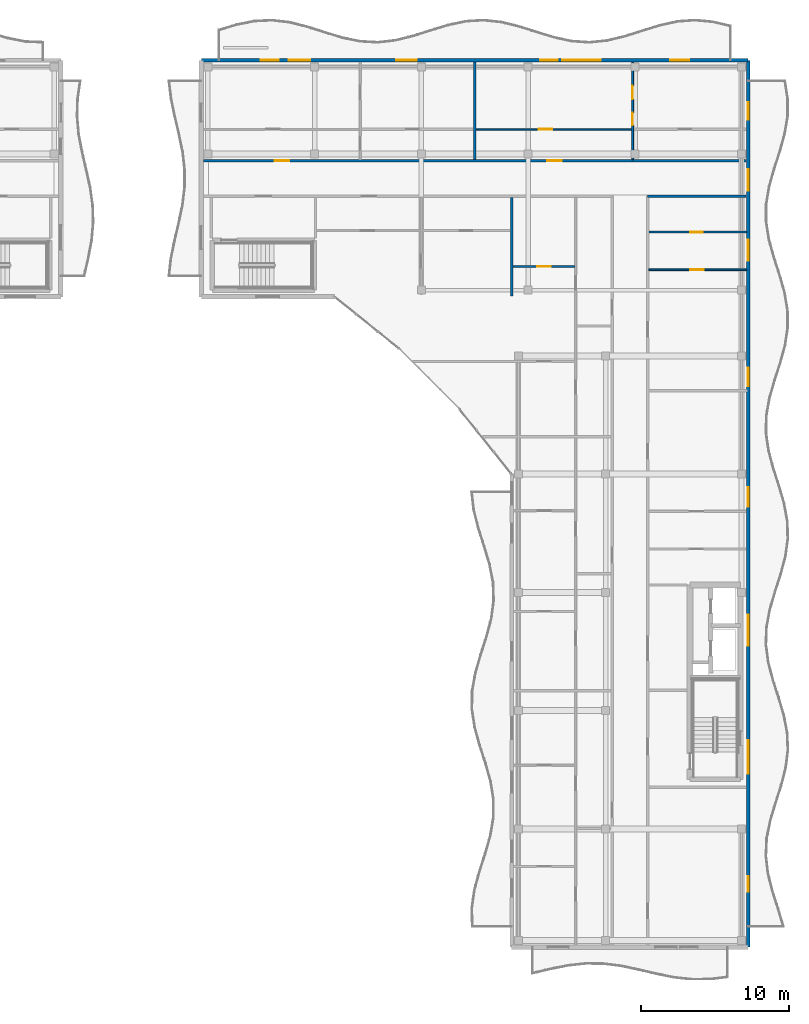
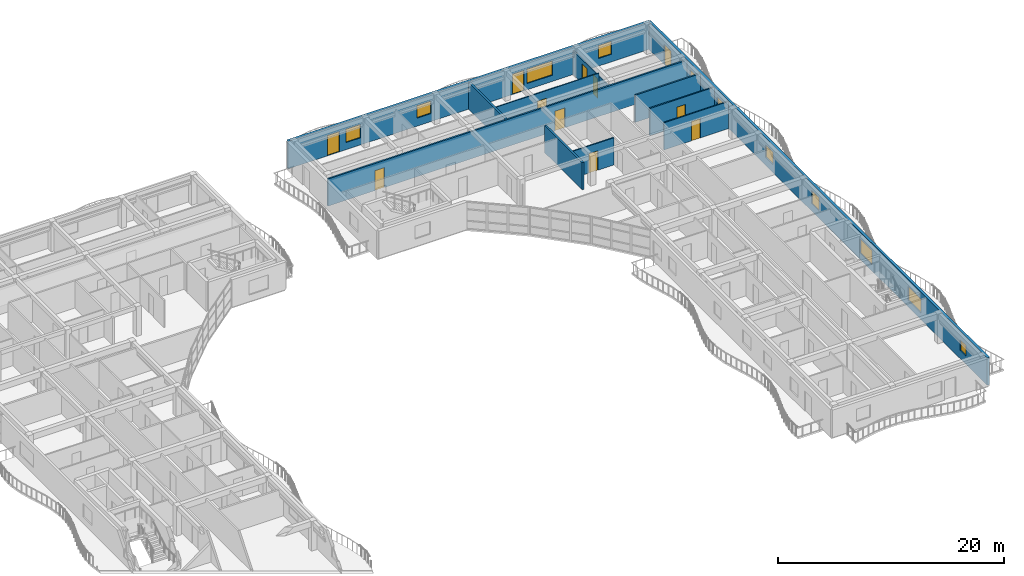
# One storey, part 44 of 68: 11 doors, 11 walls, 11 windows, 22 openings.
"""IFC4 building model written with IfcOpenShell, lengths in metres."""

from ifc_helpers import new_model, si_unit, direction, frame, frame_2d, origin, place, context, subcontext, project, spatial, rectangle, extrude, material, layer, layer_set, type_object, element, fill, save


model = new_model("IFC4")

# Units and contexts
model_context = context("Model", 3, precision=1e-05, world=origin(), true_north=direction((0.0, 1.0)))
body_context = subcontext(model_context, "Body", "Model", "MODEL_VIEW")
ifc_project = project(units=[si_unit("LENGTHUNIT", "METRE"), si_unit("AREAUNIT", "SQUARE_METRE"), si_unit("VOLUMEUNIT", "CUBIC_METRE"), si_unit("PLANEANGLEUNIT", "RADIAN"), si_unit("MASSUNIT", "GRAM", prefix="KILO")], contexts=[model_context])

# Site, building, storey
site_placement = place(None, origin())
site = spatial("IfcSite", under=ifc_project, at=site_placement, CompositionType="ELEMENT")
building_placement = place(site_placement, origin())
building = spatial("IfcBuilding", under=site, at=building_placement, Name="Keldmere Railside Commons", CompositionType="ELEMENT")
storey_placement = place(building_placement, frame((0.0, 0.0, 23.360107421875)))
storey = spatial("IfcBuildingStorey", under=building, at=storey_placement, Name="L07", CompositionType="ELEMENT", Elevation=23.360107421875)

# Walls
ifc_material_1 = material(Name="Acoustic Gypsum Board Partition", Category="gypsum")
ifc_layer_1 = layer(ifc_material_1, 0.179931640625, Name="Acoustic Demising Partition 180")
ifc_layer_set_1 = layer_set([ifc_layer_1], Name="Acoustic Gypsum Board Partition")
wall_type_1 = type_object("IfcWallType", Name="Acoustic Demising Partition 180", PredefinedType="PARTITIONING", material=ifc_layer_set_1)
wall_1_placement = place(storey_placement, frame((168.0, 100.050048828125, 0.0), z_axis=(0.0, 0.0, 1.0), x_axis=(0.0, 1.0, 0.0)))
element("IfcWall", 1, at=wall_1_placement, inside=storey, type_object=wall_type_1, Name="IW-1 IW-L07-1687", PredefinedType="PARTITIONING", context=body_context, shape_type="SweptSolid", body=[
    extrude(rectangle(XDim=6.669921875, YDim=0.179931640625, at=frame_2d((3.3349609375, 0.0))), origin(), (0.0, 0.0, 1.0), 2.934814453125),
])
wall_2_placement = place(storey_placement, frame((165.5, 109.280029296875, 0.0), z_axis=(0.0, 0.0, 1.0), x_axis=(0.0, 1.0, 0.0)))
element("IfcWall", 2, at=wall_2_placement, inside=storey, type_object=wall_type_1, Name="IW-1 IW-L07-1704", PredefinedType="PARTITIONING", context=body_context, shape_type="SweptSolid", body=[
    extrude(rectangle(XDim=6.590087890625, YDim=0.179931640625, at=frame_2d((3.294921875, 0.0))), origin(), (0.0, 0.0, 1.0), 2.934814453125),
])

# Wall, opening, door
ifc_layer_2 = layer(ifc_material_1, 0.1201171875, Name="Apartment Interior Partition 120")
ifc_layer_set_2 = layer_set([ifc_layer_2], Name="Acoustic Gypsum Board Partition")
wall_type_2 = type_object("IfcWallType", Name="Apartment Interior Partition 120", PredefinedType="PARTITIONING", material=ifc_layer_set_2)
wall_3_placement = place(storey_placement, frame((168.090087890625, 102.050048828125, 0.0), z_axis=(0.0, 0.0, 1.0), x_axis=(1.0, 0.0, 0.0)))
wall_3 = element("IfcWall", 3, at=wall_3_placement, inside=storey, type_object=wall_type_2, Name="IW-4 IW-L07-1703", PredefinedType="PARTITIONING", context=body_context, shape_type="SweptSolid", body=[
    extrude(rectangle(XDim=4.18994140625, YDim=0.1201171875, at=frame_2d((2.094970703125, 0.0))), origin(), (0.0, 0.0, 1.0), 2.934814453125),
])
opening_1_placement = place(wall_3_placement, frame((1.655029296875, 0.0, 0.0)))
opening_1 = element("IfcOpeningElement", 4, at=opening_1_placement, cuts=wall_3, Name="Opening ID-02", PredefinedType="OPENING", context=body_context, shape_type="SweptSolid", body=[
    extrude(rectangle(XDim=0.8798828125, YDim=2.10009765625, at=frame_2d((0.43994140625, 1.050048828125))), frame((0.0, 0.070068359375, 0.0), z_axis=(0.0, -1.0, 0.0), x_axis=(1.0, 0.0, 0.0)), (0.0, 0.0, 1.0), 0.14013671875),
])
ifc_material_2 = material(Name="Engineered Oak Timber", Category="wood")
door_type_1 = type_object("IfcDoorType", Name="Secondary Bedroom Door 880x2100", OperationType="NOTDEFINED", PredefinedType="DOOR", material=ifc_material_2)
door_1_placement = place(opening_1_placement, origin())
door_1 = element("IfcDoor", 5, at=door_1_placement, inside=storey, type_object=door_type_1, Name="ID-02 IDR-L07-1547", OperationType="SINGLE_SWING_LEFT", OverallHeight=2.10009765625, OverallWidth=0.8798828125, PredefinedType="DOOR", context=body_context, shape_type="SweptSolid", body=[
    extrude(rectangle(XDim=0.8798828125, YDim=2.10009765625, at=frame_2d((0.43994140625, 1.050048828125))), frame((0.0, 0.02490234375, 0.0), z_axis=(0.0, -1.0, 0.0), x_axis=(1.0, 0.0, 0.0)), (0.0, 0.0, 1.0), 0.050048828125),
])
fill(opening_1, door_1)

# Wall, openings, doors
wall_4_placement = place(storey_placement, frame((176.179931640625, 109.280029296875, 0.0), z_axis=(0.0, 0.0, 1.0), x_axis=(0.0, 1.0, 0.0)))
wall_4 = element("IfcWall", 6, at=wall_4_placement, inside=storey, type_object=wall_type_2, Name="IW-4 IW-L07-1708", PredefinedType="PARTITIONING", context=body_context, shape_type="SweptSolid", body=[
    extrude(rectangle(XDim=6.590087890625, YDim=0.1201171875, at=frame_2d((3.294921875, 0.0))), origin(), (0.0, 0.0, 1.0), 2.579833984375),
])
opening_2_placement = place(wall_4_placement, frame((2.305908203125, 0.0, 0.0)))
opening_2 = element("IfcOpeningElement", 7, at=opening_2_placement, cuts=wall_4, Name="Opening ID-04", PredefinedType="OPENING", context=body_context, shape_type="SweptSolid", body=[
    extrude(rectangle(XDim=0.860107421875, YDim=2.10009765625, at=frame_2d((0.43017578125, 1.050048828125))), frame((0.0, 0.070068359375, 0.0), z_axis=(0.0, -1.0, 0.0), x_axis=(1.0, 0.0, 0.0)), (0.0, 0.0, 1.0), 0.14013671875),
])
opening_3_placement = place(wall_4_placement, frame((4.093017578125, 0.0, 0.0)))
opening_3 = element("IfcOpeningElement", 8, at=opening_3_placement, cuts=wall_4, Name="Opening ID-01", PredefinedType="OPENING", context=body_context, shape_type="SweptSolid", body=[
    extrude(rectangle(XDim=0.89990234375, YDim=2.10009765625, at=frame_2d((0.449951171875, 1.050048828125))), frame((0.0, 0.070068359375, 0.0), z_axis=(0.0, -1.0, 0.0), x_axis=(1.0, 0.0, 0.0)), (0.0, 0.0, 1.0), 0.14013671875),
])
door_type_2 = type_object("IfcDoorType", Name="Apartment Bathroom Door 860x2100", OperationType="NOTDEFINED", PredefinedType="DOOR", material=ifc_material_2)
door_2_placement = place(opening_2_placement, origin())
door_2 = element("IfcDoor", 9, at=door_2_placement, inside=storey, type_object=door_type_2, Name="ID-04 IDR-L07-1555", OperationType="SINGLE_SWING_LEFT", OverallHeight=2.10009765625, OverallWidth=0.860107421875, PredefinedType="DOOR", context=body_context, shape_type="SweptSolid", body=[
    extrude(rectangle(XDim=0.860107421875, YDim=2.10009765625, at=frame_2d((0.43017578125, 1.050048828125))), frame((0.0, 0.02490234375, 0.0), z_axis=(0.0, -1.0, 0.0), x_axis=(1.0, 0.0, 0.0)), (0.0, 0.0, 1.0), 0.050048828125),
])
fill(opening_2, door_2)
door_type_3 = type_object("IfcDoorType", Name="Primary Bedroom Door 900x2100", OperationType="NOTDEFINED", PredefinedType="DOOR", material=ifc_material_2)
door_3_placement = place(opening_3_placement, origin())
door_3 = element("IfcDoor", 10, at=door_3_placement, inside=storey, type_object=door_type_3, Name="ID-01 IDR-L07-1556", OperationType="SINGLE_SWING_RIGHT", OverallHeight=2.10009765625, OverallWidth=0.89990234375, PredefinedType="DOOR", context=body_context, shape_type="SweptSolid", body=[
    extrude(rectangle(XDim=0.89990234375, YDim=2.10009765625, at=frame_2d((0.449951171875, 1.050048828125))), frame((0.0, 0.02490234375, 0.0), z_axis=(0.0, -1.0, 0.0), x_axis=(1.0, 0.0, 0.0)), (0.0, 0.0, 1.0), 0.050048828125),
])
fill(opening_3, door_3)

# Wall, opening, door
wall_5_placement = place(storey_placement, frame((177.280029296875, 101.820068359375, 0.0), z_axis=(0.0, 0.0, 1.0), x_axis=(1.0, 0.0, 0.0)))
wall_5 = element("IfcWall", 11, at=wall_5_placement, inside=storey, type_object=wall_type_2, Name="IW-4 IW-L07-1717", PredefinedType="PARTITIONING", context=body_context, shape_type="SweptSolid", body=[
    extrude(rectangle(XDim=6.6298828125, YDim=0.1201171875, at=frame_2d((3.31494140625, 0.0))), origin(), (0.0, 0.0, 1.0), 2.934814453125),
])
opening_4_placement = place(wall_5_placement, frame((2.78466796875, 0.0, 0.0)))
opening_4 = element("IfcOpeningElement", 12, at=opening_4_placement, cuts=wall_5, Name="Opening ID-03", PredefinedType="OPENING", context=body_context, shape_type="SweptSolid", body=[
    extrude(rectangle(XDim=0.919921875, YDim=2.10009765625, at=frame_2d((0.4599609375, 1.050048828125))), frame((0.0, 0.070068359375, 0.0), z_axis=(0.0, -1.0, 0.0), x_axis=(1.0, 0.0, 0.0)), (0.0, 0.0, 1.0), 0.14013671875),
])
door_type_4 = type_object("IfcDoorType", Name="Kitchen Pocket-Frame Swing Door 920x2100", OperationType="NOTDEFINED", PredefinedType="DOOR", material=ifc_material_2)
door_4_placement = place(opening_4_placement, origin())
door_4 = element("IfcDoor", 13, at=door_4_placement, inside=storey, type_object=door_type_4, Name="ID-03 IDR-L07-1567", OperationType="SINGLE_SWING_LEFT", OverallHeight=2.10009765625, OverallWidth=0.919921875, PredefinedType="DOOR", context=body_context, shape_type="SweptSolid", body=[
    extrude(rectangle(XDim=0.919921875, YDim=2.10009765625, at=frame_2d((0.4599609375, 1.050048828125))), frame((0.0, 0.02490234375, 0.0), z_axis=(0.0, -1.0, 0.0), x_axis=(1.0, 0.0, 0.0)), (0.0, 0.0, 1.0), 0.050048828125),
])
fill(opening_4, door_4)

ifc_layer_3 = layer(ifc_material_1, 0.10009765625, Name="Closet Light Partition 100")
ifc_layer_set_3 = layer_set([ifc_layer_3], Name="Acoustic Gypsum Board Partition")
wall_type_3 = type_object("IfcWallType", Name="Closet Light Partition 100", PredefinedType="PARTITIONING", material=ifc_layer_set_3)
wall_6_placement = place(storey_placement, frame((165.590087890625, 111.330078125, 0.0), z_axis=(0.0, 0.0, 1.0), x_axis=(1.0, 0.0, 0.0)))
wall_6 = element("IfcWall", 14, at=wall_6_placement, inside=storey, type_object=wall_type_3, Name="IW-6 IW-L07-1710", PredefinedType="PARTITIONING", context=body_context, shape_type="SweptSolid", body=[
    extrude(rectangle(XDim=10.530029296875, YDim=0.10009765625, at=frame_2d((5.26513671875, 0.0))), origin(), (0.0, 0.0, 1.0), 2.934814453125),
])
opening_5_placement = place(wall_6_placement, frame((4.236083984375, 0.0, 0.0)))
opening_5 = element("IfcOpeningElement", 15, at=opening_5_placement, cuts=wall_6, Name="Opening ID-03", PredefinedType="OPENING", context=body_context, shape_type="SweptSolid", body=[
    extrude(rectangle(XDim=0.919921875, YDim=2.10009765625, at=frame_2d((0.4599609375, 1.050048828125))), frame((0.0, 0.06005859375, 0.0), z_axis=(0.0, -1.0, 0.0), x_axis=(1.0, 0.0, 0.0)), (0.0, 0.0, 1.0), 0.1201171875),
])
door_5_placement = place(opening_5_placement, origin())
door_5 = element("IfcDoor", 16, at=door_5_placement, inside=storey, type_object=door_type_4, Name="ID-03 IDR-L07-1554", OperationType="SINGLE_SWING_RIGHT", OverallHeight=2.10009765625, OverallWidth=0.919921875, PredefinedType="DOOR", context=body_context, shape_type="SweptSolid", body=[
    extrude(rectangle(XDim=0.919921875, YDim=2.10009765625, at=frame_2d((0.4599609375, 1.050048828125))), frame((0.0, 0.02490234375, 0.0), z_axis=(0.0, -1.0, 0.0), x_axis=(1.0, 0.0, 0.0)), (0.0, 0.0, 1.0), 0.050048828125),
])
fill(opening_5, door_5)

# Wall
ifc_layer_4 = layer(ifc_material_1, 0.159912109375, Name="Corridor Fire Partition 160")
ifc_layer_set_4 = layer_set([ifc_layer_4], Name="Acoustic Gypsum Board Partition")
wall_type_4 = type_object("IfcWallType", Name="Corridor Fire Partition 160", PredefinedType="PARTITIONING", material=ifc_layer_set_4)
wall_7_placement = place(storey_placement, frame((177.199951171875, 106.800048828125, 0.0), z_axis=(0.0, 0.0, 1.0), x_axis=(1.0, 0.0, 0.0)))
element("IfcWall", 17, at=wall_7_placement, inside=storey, type_object=wall_type_4, Name="IW-2 IW-L07-1685", PredefinedType="PARTITIONING", context=body_context, shape_type="SweptSolid", body=[
    extrude(rectangle(XDim=6.64013671875, YDim=0.159912109375, at=frame_2d((3.320068359375, 0.0))), origin(), (0.0, 0.0, 1.0), 2.934814453125),
])

# Wall, openings, doors
wall_8_placement = place(storey_placement, frame((147.159912109375, 109.199951171875, 0.0), z_axis=(0.0, 0.0, 1.0), x_axis=(1.0, 0.0, 0.0)))
wall_8 = element("IfcWall", 18, at=wall_8_placement, inside=storey, type_object=wall_type_4, Name="IW-2 IW-L07-1686", PredefinedType="PARTITIONING", context=body_context, shape_type="SweptSolid", body=[
    extrude(rectangle(XDim=36.68017578125, YDim=0.159912109375, at=frame_2d((18.340087890625, 0.0))), origin(), (0.0, 0.0, 1.0), 2.934814453125),
])
opening_6_placement = place(wall_8_placement, frame((4.804931640625, 0.0, 0.0)))
opening_6 = element("IfcOpeningElement", 19, at=opening_6_placement, cuts=wall_8, Name="Opening FD-7", PredefinedType="OPENING", context=body_context, shape_type="SweptSolid", body=[
    extrude(rectangle(XDim=0.97998046875, YDim=2.14990234375, at=frame_2d((0.489990234375, 1.074951171875))), frame((0.0, 0.08984375, 0.0), z_axis=(0.0, -1.0, 0.0), x_axis=(1.0, 0.0, 0.0)), (0.0, 0.0, 1.0), 0.179931640625),
])
opening_7_placement = place(wall_8_placement, frame((23.235107421875, 0.0, 0.0)))
opening_7 = element("IfcOpeningElement", 20, at=opening_7_placement, cuts=wall_8, Name="Opening FD-7", PredefinedType="OPENING", context=body_context, shape_type="SweptSolid", body=[
    extrude(rectangle(XDim=0.97998046875, YDim=2.14990234375, at=frame_2d((0.489990234375, 1.074951171875))), frame((0.0, 0.08984375, 0.0), z_axis=(0.0, -1.0, 0.0), x_axis=(1.0, 0.0, 0.0)), (0.0, 0.0, 1.0), 0.179931640625),
])
door_type_5 = type_object("IfcDoorType", Name="Apartment Entrance Acoustic Fire Door 980x2150", OperationType="NOTDEFINED", PredefinedType="DOOR", material=ifc_material_2)
door_6_placement = place(opening_6_placement, origin())
door_6 = element("IfcDoor", 21, at=door_6_placement, inside=storey, type_object=door_type_5, Name="FD-7 IDR-L07-1548", OperationType="SINGLE_SWING_RIGHT", OverallHeight=2.14990234375, OverallWidth=0.97998046875, PredefinedType="DOOR", context=body_context, shape_type="SweptSolid", body=[
    extrude(rectangle(XDim=0.97998046875, YDim=2.14990234375, at=frame_2d((0.489990234375, 1.074951171875))), frame((0.0, 0.02490234375, 0.0), z_axis=(0.0, -1.0, 0.0), x_axis=(1.0, 0.0, 0.0)), (0.0, 0.0, 1.0), 0.050048828125),
])
fill(opening_6, door_6)
door_7_placement = place(opening_7_placement, origin())
door_7 = element("IfcDoor", 22, at=door_7_placement, inside=storey, type_object=door_type_5, Name="FD-7 IDR-L07-1553", OperationType="SINGLE_SWING_LEFT", OverallHeight=2.14990234375, OverallWidth=0.97998046875, PredefinedType="DOOR", context=body_context, shape_type="SweptSolid", body=[
    extrude(rectangle(XDim=0.97998046875, YDim=2.14990234375, at=frame_2d((0.489990234375, 1.074951171875))), frame((0.0, 0.02490234375, 0.0), z_axis=(0.0, -1.0, 0.0), x_axis=(1.0, 0.0, 0.0)), (0.0, 0.0, 1.0), 0.050048828125),
])
fill(opening_7, door_7)

# Wall, openings, windows, door
ifc_material_3 = material(Name="Terracotta Brick Masonry", Category="masonry")
ifc_layer_5 = layer(ifc_material_3, 0.260009765625, Name="Terracotta Cavity Wall 260")
ifc_layer_set_5 = layer_set([ifc_layer_5], Name="Terracotta Brick Masonry")
wall_type_5 = type_object("IfcWallType", Name="Terracotta Cavity Wall 260", PredefinedType="SOLIDWALL", material=ifc_layer_set_5)
wall_9_placement = place(storey_placement, frame((184.0, 116.0, 0.0), z_axis=(0.0, 0.0, 1.0), x_axis=(0.0, -1.0, 0.0)))
wall_9 = element("IfcWall", 23, at=wall_9_placement, inside=storey, type_object=wall_type_5, Name="EW-1 EXTA-L07-0925", PredefinedType="SOLIDWALL", context=body_context, shape_type="SweptSolid", body=[
    extrude(rectangle(XDim=60.0, YDim=0.260009765625, at=frame_2d((30.0, 0.0))), origin(), (0.0, 0.0, 1.0), 2.97998046875),
])
opening_8_placement = place(wall_9_placement, frame((2.835693359375, 0.0, 0.0)))
opening_8 = element("IfcOpeningElement", 24, at=opening_8_placement, cuts=wall_9, Name="Opening BD-01", PredefinedType="OPENING", context=body_context, shape_type="SweptSolid", body=[
    extrude(rectangle(XDim=1.199951171875, YDim=2.199951171875, at=frame_2d((0.60009765625, 1.10009765625))), frame((0.0, 0.139892578125, 0.0), z_axis=(0.0, -1.0, 0.0), x_axis=(1.0, 0.0, 0.0)), (0.0, 0.0, 1.0), 0.280029296875),
])
opening_9_placement = place(wall_9_placement, frame((7.3857421875, 0.0, 0.77001953125)))
opening_9 = element("IfcOpeningElement", 25, at=opening_9_placement, cuts=wall_9, Name="Opening WN-24", PredefinedType="OPENING", context=body_context, shape_type="SweptSolid", body=[
    extrude(rectangle(XDim=1.449951171875, YDim=1.449951171875, at=frame_2d((0.72509765625, 0.72509765625))), frame((0.0, 0.139892578125, 0.0), z_axis=(0.0, -1.0, 0.0), x_axis=(1.0, 0.0, 0.0)), (0.0, 0.0, 1.0), 0.280029296875),
])
opening_10_placement = place(wall_9_placement, frame((12.156982421875, 0.0, 0.8701171875)))
opening_10 = element("IfcOpeningElement", 26, at=opening_10_placement, cuts=wall_9, Name="Opening WN-08", PredefinedType="OPENING", context=body_context, shape_type="SweptSolid", body=[
    extrude(rectangle(XDim=1.39990234375, YDim=1.35009765625, at=frame_2d((0.699951171875, 0.675048828125))), frame((0.0, 0.139892578125, 0.0), z_axis=(0.0, -1.0, 0.0), x_axis=(1.0, 0.0, 0.0)), (0.0, 0.0, 1.0), 0.280029296875),
])
opening_11_placement = place(wall_9_placement, frame((20.8037109375, 0.0, 0.8701171875)))
opening_11 = element("IfcOpeningElement", 27, at=opening_11_placement, cuts=wall_9, Name="Opening WN-09", PredefinedType="OPENING", context=body_context, shape_type="SweptSolid", body=[
    extrude(rectangle(XDim=1.25, YDim=1.35009765625, at=frame_2d((0.625, 0.675048828125))), frame((0.0, 0.139892578125, 0.0), z_axis=(0.0, -1.0, 0.0), x_axis=(1.0, 0.0, 0.0)), (0.0, 0.0, 1.0), 0.280029296875),
])
opening_12_placement = place(wall_9_placement, frame((28.89990234375, 0.0, 0.820068359375)))
opening_12 = element("IfcOpeningElement", 28, at=opening_12_placement, cuts=wall_9, Name="Opening WN-10", PredefinedType="OPENING", context=body_context, shape_type="SweptSolid", body=[
    extrude(rectangle(XDim=1.300048828125, YDim=1.39990234375, at=frame_2d((0.64990234375, 0.699951171875))), frame((0.0, 0.139892578125, 0.0), z_axis=(0.0, -1.0, 0.0), x_axis=(1.0, 0.0, 0.0)), (0.0, 0.0, 1.0), 0.280029296875),
])
opening_13_placement = place(wall_9_placement, frame((37.521484375, 0.0, 0.669921875)))
opening_13 = element("IfcOpeningElement", 29, at=opening_13_placement, cuts=wall_9, Name="Opening WN-11", PredefinedType="OPENING", context=body_context, shape_type="SweptSolid", body=[
    extrude(rectangle(XDim=2.10009765625, YDim=1.550048828125, at=frame_2d((1.050048828125, 0.77490234375))), frame((0.0, 0.139892578125, 0.0), z_axis=(0.0, -1.0, 0.0), x_axis=(1.0, 0.0, 0.0)), (0.0, 0.0, 1.0), 0.280029296875),
])
opening_14_placement = place(wall_9_placement, frame((46.017822265625, 0.0, 0.719970703125)))
opening_14 = element("IfcOpeningElement", 30, at=opening_14_placement, cuts=wall_9, Name="Opening WN-12", PredefinedType="OPENING", context=body_context, shape_type="SweptSolid", body=[
    extrude(rectangle(XDim=2.25, YDim=1.5, at=frame_2d((1.125, 0.75))), frame((0.0, 0.139892578125, 0.0), z_axis=(0.0, -1.0, 0.0), x_axis=(1.0, 0.0, 0.0)), (0.0, 0.0, 1.0), 0.280029296875),
])
opening_15_placement = place(wall_9_placement, frame((55.189208984375, 0.0, 0.89990234375)))
opening_15 = element("IfcOpeningElement", 31, at=opening_15_placement, cuts=wall_9, Name="Opening WN-13", PredefinedType="OPENING", context=body_context, shape_type="SweptSolid", body=[
    extrude(rectangle(XDim=1.050048828125, YDim=1.14990234375, at=frame_2d((0.52490234375, 0.574951171875))), frame((0.0, 0.139892578125, 0.0), z_axis=(0.0, -1.0, 0.0), x_axis=(1.0, 0.0, 0.0)), (0.0, 0.0, 1.0), 0.280029296875),
])
ifc_material_4 = material(Name="Low-E Insulated Double Glazing", Category="glass")
window_type_1 = type_object("IfcWindowType", Name="Apartment Kitchen Casement Window 1050x1150", PartitioningType="SINGLE_PANEL", PredefinedType="WINDOW", material=ifc_material_4)
window_1_placement = place(opening_15_placement, origin())
window_1 = element("IfcWindow", 32, at=window_1_placement, inside=storey, type_object=window_type_1, Name="WN-13 WIN-L07-0709", OverallHeight=1.14990234375, OverallWidth=1.050048828125, PartitioningType="SINGLE_PANEL", PredefinedType="WINDOW", context=body_context, shape_type="SweptSolid", body=[
    extrude(rectangle(XDim=1.050048828125, YDim=1.14990234375, at=frame_2d((0.52490234375, 0.574951171875))), frame((0.0, 0.030029296875, 0.0), z_axis=(0.0, -1.0, 0.0), x_axis=(1.0, 0.0, 0.0)), (0.0, 0.0, 1.0), 0.06005859375),
])
fill(opening_15, window_1)
ifc_material_5 = material(Name="Thermally Broken Aluminium", Category="aluminium")
door_type_6 = type_object("IfcDoorType", Name="Apartment Living Wave-Balcony Glazed Door 1200x2200", OperationType="NOTDEFINED", PredefinedType="DOOR", material=ifc_material_5)
door_8_placement = place(opening_8_placement, origin())
door_8 = element("IfcDoor", 33, at=door_8_placement, inside=storey, type_object=door_type_6, Name="BD-01 DR-L07-0257", OperationType="SINGLE_SWING_LEFT", OverallHeight=2.199951171875, OverallWidth=1.199951171875, PredefinedType="DOOR", context=body_context, shape_type="SweptSolid", body=[
    extrude(rectangle(XDim=1.199951171875, YDim=2.199951171875, at=frame_2d((0.60009765625, 1.10009765625))), frame((0.0, 0.02490234375, 0.0), z_axis=(0.0, -1.0, 0.0), x_axis=(1.0, 0.0, 0.0)), (0.0, 0.0, 1.0), 0.050048828125),
])
fill(opening_8, door_8)
window_type_2 = type_object("IfcWindowType", Name="Primary Bedroom East/West Window 1400x1350", PartitioningType="SINGLE_PANEL", PredefinedType="WINDOW", material=ifc_material_4)
window_2_placement = place(opening_10_placement, origin())
window_2 = element("IfcWindow", 34, at=window_2_placement, inside=storey, type_object=window_type_2, Name="WN-08 WIN-L07-0704", OverallHeight=1.35009765625, OverallWidth=1.39990234375, PartitioningType="SINGLE_PANEL", PredefinedType="WINDOW", context=body_context, shape_type="SweptSolid", body=[
    extrude(rectangle(XDim=1.39990234375, YDim=1.35009765625, at=frame_2d((0.699951171875, 0.675048828125))), frame((0.0, 0.030029296875, 0.0), z_axis=(0.0, -1.0, 0.0), x_axis=(1.0, 0.0, 0.0)), (0.0, 0.0, 1.0), 0.06005859375),
])
fill(opening_10, window_2)
window_type_3 = type_object("IfcWindowType", Name="Secondary Bedroom Court Window 1300x1400", PartitioningType="SINGLE_PANEL", PredefinedType="WINDOW", material=ifc_material_4)
window_3_placement = place(opening_12_placement, origin())
window_3 = element("IfcWindow", 35, at=window_3_placement, inside=storey, type_object=window_type_3, Name="WN-10 WIN-L07-0706", OverallHeight=1.39990234375, OverallWidth=1.300048828125, PartitioningType="SINGLE_PANEL", PredefinedType="WINDOW", context=body_context, shape_type="SweptSolid", body=[
    extrude(rectangle(XDim=1.300048828125, YDim=1.39990234375, at=frame_2d((0.64990234375, 0.699951171875))), frame((0.0, 0.030029296875, 0.0), z_axis=(0.0, -1.0, 0.0), x_axis=(1.0, 0.0, 0.0)), (0.0, 0.0, 1.0), 0.06005859375),
])
fill(opening_12, window_3)
window_type_4 = type_object("IfcWindowType", Name="Secondary Bedroom Window 1250x1350", PartitioningType="SINGLE_PANEL", PredefinedType="WINDOW", material=ifc_material_4)
window_4_placement = place(opening_11_placement, origin())
window_4 = element("IfcWindow", 36, at=window_4_placement, inside=storey, type_object=window_type_4, Name="WN-09 WIN-L07-0705", OverallHeight=1.35009765625, OverallWidth=1.25, PartitioningType="SINGLE_PANEL", PredefinedType="WINDOW", context=body_context, shape_type="SweptSolid", body=[
    extrude(rectangle(XDim=1.25, YDim=1.35009765625, at=frame_2d((0.625, 0.675048828125))), frame((0.0, 0.030029296875, 0.0), z_axis=(0.0, -1.0, 0.0), x_axis=(1.0, 0.0, 0.0)), (0.0, 0.0, 1.0), 0.06005859375),
])
fill(opening_11, window_4)
window_type_5 = type_object("IfcWindowType", Name="Setback Terrace Bedroom Window 1450x1450", PartitioningType="SINGLE_PANEL", PredefinedType="WINDOW", material=ifc_material_4)
window_5_placement = place(opening_9_placement, origin())
window_5 = element("IfcWindow", 37, at=window_5_placement, inside=storey, type_object=window_type_5, Name="WN-24 WIN-L07-0703", OverallHeight=1.449951171875, OverallWidth=1.449951171875, PartitioningType="SINGLE_PANEL", PredefinedType="WINDOW", context=body_context, shape_type="SweptSolid", body=[
    extrude(rectangle(XDim=1.449951171875, YDim=1.449951171875, at=frame_2d((0.72509765625, 0.72509765625))), frame((0.0, 0.030029296875, 0.0), z_axis=(0.0, -1.0, 0.0), x_axis=(1.0, 0.0, 0.0)), (0.0, 0.0, 1.0), 0.06005859375),
])
fill(opening_9, window_5)
window_type_6 = type_object("IfcWindowType", Name="Studio Court Ribbon Window 2250x1500", PartitioningType="SINGLE_PANEL", PredefinedType="WINDOW", material=ifc_material_4)
window_6_placement = place(opening_14_placement, origin())
window_6 = element("IfcWindow", 38, at=window_6_placement, inside=storey, type_object=window_type_6, Name="WN-12 WIN-L07-0708", OverallHeight=1.5, OverallWidth=2.25, PartitioningType="SINGLE_PANEL", PredefinedType="WINDOW", context=body_context, shape_type="SweptSolid", body=[
    extrude(rectangle(XDim=2.25, YDim=1.5, at=frame_2d((1.125, 0.75))), frame((0.0, 0.030029296875, 0.0), z_axis=(0.0, -1.0, 0.0), x_axis=(1.0, 0.0, 0.0)), (0.0, 0.0, 1.0), 0.06005859375),
])
fill(opening_14, window_6)
window_type_7 = type_object("IfcWindowType", Name="Studio Wide Casement Window 2100x1550", PartitioningType="SINGLE_PANEL", PredefinedType="WINDOW", material=ifc_material_4)
window_7_placement = place(opening_13_placement, origin())
window_7 = element("IfcWindow", 39, at=window_7_placement, inside=storey, type_object=window_type_7, Name="WN-11 WIN-L07-0707", OverallHeight=1.550048828125, OverallWidth=2.10009765625, PartitioningType="SINGLE_PANEL", PredefinedType="WINDOW", context=body_context, shape_type="SweptSolid", body=[
    extrude(rectangle(XDim=2.10009765625, YDim=1.550048828125, at=frame_2d((1.050048828125, 0.77490234375))), frame((0.0, 0.030029296875, 0.0), z_axis=(0.0, -1.0, 0.0), x_axis=(1.0, 0.0, 0.0)), (0.0, 0.0, 1.0), 0.06005859375),
])
fill(opening_13, window_7)

# Wall, openings, doors, windows
wall_10_placement = place(storey_placement, frame((147.0, 116.0, 0.0), z_axis=(0.0, 0.0, 1.0), x_axis=(1.0, 0.0, 0.0)))
wall_10 = element("IfcWall", 40, at=wall_10_placement, inside=storey, type_object=wall_type_5, Name="EW-1 EXTA-L07-0926", PredefinedType="SOLIDWALL", context=body_context, shape_type="SweptSolid", body=[
    extrude(rectangle(XDim=37.0, YDim=0.260009765625, at=frame_2d((18.5, 0.0))), origin(), (0.0, 0.0, 1.0), 2.97998046875),
])
opening_16_placement = place(wall_10_placement, frame((4.02490234375, 0.0, 0.0)))
opening_16 = element("IfcOpeningElement", 41, at=opening_16_placement, cuts=wall_10, Name="Opening BD-01", PredefinedType="OPENING", context=body_context, shape_type="SweptSolid", body=[
    extrude(rectangle(XDim=1.199951171875, YDim=2.199951171875, at=frame_2d((0.60009765625, 1.10009765625))), frame((0.0, 0.139892578125, 0.0), z_axis=(0.0, -1.0, 0.0), x_axis=(1.0, 0.0, 0.0)), (0.0, 0.0, 1.0), 0.280029296875),
])
opening_17_placement = place(wall_10_placement, frame((5.925048828125, 0.0, 0.77001953125)))
opening_17 = element("IfcOpeningElement", 42, at=opening_17_placement, cuts=wall_10, Name="Opening WN-24", PredefinedType="OPENING", context=body_context, shape_type="SweptSolid", body=[
    extrude(rectangle(XDim=1.449951171875, YDim=1.449951171875, at=frame_2d((0.72509765625, 0.72509765625))), frame((0.0, 0.139892578125, 0.0), z_axis=(0.0, -1.0, 0.0), x_axis=(1.0, 0.0, 0.0)), (0.0, 0.0, 1.0), 0.280029296875),
])
opening_18_placement = place(wall_10_placement, frame((13.175048828125, 0.0, 0.8701171875)))
opening_18 = element("IfcOpeningElement", 43, at=opening_18_placement, cuts=wall_10, Name="Opening WN-08", PredefinedType="OPENING", context=body_context, shape_type="SweptSolid", body=[
    extrude(rectangle(XDim=1.39990234375, YDim=1.35009765625, at=frame_2d((0.699951171875, 0.675048828125))), frame((0.0, 0.139892578125, 0.0), z_axis=(0.0, -1.0, 0.0), x_axis=(1.0, 0.0, 0.0)), (0.0, 0.0, 1.0), 0.280029296875),
])
opening_19_placement = place(wall_10_placement, frame((22.925048828125, 0.0, 0.0)))
opening_19 = element("IfcOpeningElement", 44, at=opening_19_placement, cuts=wall_10, Name="Opening BD-01", PredefinedType="OPENING", context=body_context, shape_type="SweptSolid", body=[
    extrude(rectangle(XDim=1.199951171875, YDim=2.199951171875, at=frame_2d((0.60009765625, 1.10009765625))), frame((0.0, 0.139892578125, 0.0), z_axis=(0.0, -1.0, 0.0), x_axis=(1.0, 0.0, 0.0)), (0.0, 0.0, 1.0), 0.280029296875),
])
opening_20_placement = place(wall_10_placement, frame((24.425048828125, 0.0, 0.669921875)))
opening_20 = element("IfcOpeningElement", 45, at=opening_20_placement, cuts=wall_10, Name="Opening WN-39", PredefinedType="OPENING", context=body_context, shape_type="SweptSolid", body=[
    extrude(rectangle(XDim=2.60009765625, YDim=1.550048828125, at=frame_2d((1.300048828125, 0.77490234375))), frame((0.0, 0.139892578125, 0.0), z_axis=(0.0, -1.0, 0.0), x_axis=(1.0, 0.0, 0.0)), (0.0, 0.0, 1.0), 0.280029296875),
])
opening_21_placement = place(wall_10_placement, frame((31.72509765625, 0.0, 0.820068359375)))
opening_21 = element("IfcOpeningElement", 46, at=opening_21_placement, cuts=wall_10, Name="Opening WN-10", PredefinedType="OPENING", context=body_context, shape_type="SweptSolid", body=[
    extrude(rectangle(XDim=1.300048828125, YDim=1.39990234375, at=frame_2d((0.64990234375, 0.699951171875))), frame((0.0, 0.139892578125, 0.0), z_axis=(0.0, -1.0, 0.0), x_axis=(1.0, 0.0, 0.0)), (0.0, 0.0, 1.0), 0.280029296875),
])
door_9_placement = place(opening_16_placement, origin())
door_9 = element("IfcDoor", 47, at=door_9_placement, inside=storey, type_object=door_type_6, Name="BD-01 DR-L07-0258", OperationType="SINGLE_SWING_RIGHT", OverallHeight=2.199951171875, OverallWidth=1.199951171875, PredefinedType="DOOR", context=body_context, shape_type="SweptSolid", body=[
    extrude(rectangle(XDim=1.199951171875, YDim=2.199951171875, at=frame_2d((0.60009765625, 1.10009765625))), frame((0.0, 0.02490234375, 0.0), z_axis=(0.0, -1.0, 0.0), x_axis=(1.0, 0.0, 0.0)), (0.0, 0.0, 1.0), 0.050048828125),
])
fill(opening_16, door_9)
door_10_placement = place(opening_19_placement, origin())
door_10 = element("IfcDoor", 48, at=door_10_placement, inside=storey, type_object=door_type_6, Name="BD-01 DR-L07-0259", OperationType="SINGLE_SWING_LEFT", OverallHeight=2.199951171875, OverallWidth=1.199951171875, PredefinedType="DOOR", context=body_context, shape_type="SweptSolid", body=[
    extrude(rectangle(XDim=1.199951171875, YDim=2.199951171875, at=frame_2d((0.60009765625, 1.10009765625))), frame((0.0, 0.02490234375, 0.0), z_axis=(0.0, -1.0, 0.0), x_axis=(1.0, 0.0, 0.0)), (0.0, 0.0, 1.0), 0.050048828125),
])
fill(opening_19, door_10)
window_8_placement = place(opening_18_placement, origin())
window_8 = element("IfcWindow", 49, at=window_8_placement, inside=storey, type_object=window_type_2, Name="WN-08 WIN-L07-0711", OverallHeight=1.35009765625, OverallWidth=1.39990234375, PartitioningType="SINGLE_PANEL", PredefinedType="WINDOW", context=body_context, shape_type="SweptSolid", body=[
    extrude(rectangle(XDim=1.39990234375, YDim=1.35009765625, at=frame_2d((0.699951171875, 0.675048828125))), frame((0.0, 0.030029296875, 0.0), z_axis=(0.0, -1.0, 0.0), x_axis=(1.0, 0.0, 0.0)), (0.0, 0.0, 1.0), 0.06005859375),
])
fill(opening_18, window_8)
window_9_placement = place(opening_21_placement, origin())
window_9 = element("IfcWindow", 50, at=window_9_placement, inside=storey, type_object=window_type_3, Name="WN-10 WIN-L07-0713", OverallHeight=1.39990234375, OverallWidth=1.300048828125, PartitioningType="SINGLE_PANEL", PredefinedType="WINDOW", context=body_context, shape_type="SweptSolid", body=[
    extrude(rectangle(XDim=1.300048828125, YDim=1.39990234375, at=frame_2d((0.64990234375, 0.699951171875))), frame((0.0, 0.030029296875, 0.0), z_axis=(0.0, -1.0, 0.0), x_axis=(1.0, 0.0, 0.0)), (0.0, 0.0, 1.0), 0.06005859375),
])
fill(opening_21, window_9)
window_10_placement = place(opening_17_placement, origin())
window_10 = element("IfcWindow", 51, at=window_10_placement, inside=storey, type_object=window_type_5, Name="WN-24 WIN-L07-0710", OverallHeight=1.449951171875, OverallWidth=1.449951171875, PartitioningType="SINGLE_PANEL", PredefinedType="WINDOW", context=body_context, shape_type="SweptSolid", body=[
    extrude(rectangle(XDim=1.449951171875, YDim=1.449951171875, at=frame_2d((0.72509765625, 0.72509765625))), frame((0.0, 0.030029296875, 0.0), z_axis=(0.0, -1.0, 0.0), x_axis=(1.0, 0.0, 0.0)), (0.0, 0.0, 1.0), 0.06005859375),
])
fill(opening_17, window_10)
window_type_8 = type_object("IfcWindowType", Name="Three-Bed Corner Living Window 2600x1550", PartitioningType="SINGLE_PANEL", PredefinedType="WINDOW", material=ifc_material_4)
window_11_placement = place(opening_20_placement, origin())
window_11 = element("IfcWindow", 52, at=window_11_placement, inside=storey, type_object=window_type_8, Name="WN-39 WIN-L07-0712", OverallHeight=1.550048828125, OverallWidth=2.60009765625, PartitioningType="SINGLE_PANEL", PredefinedType="WINDOW", context=body_context, shape_type="SweptSolid", body=[
    extrude(rectangle(XDim=2.60009765625, YDim=1.550048828125, at=frame_2d((1.300048828125, 0.77490234375))), frame((0.0, 0.030029296875, 0.0), z_axis=(0.0, -1.0, 0.0), x_axis=(1.0, 0.0, 0.0)), (0.0, 0.0, 1.0), 0.06005859375),
])
fill(opening_20, window_11)

# Wall, opening, door
ifc_layer_6 = layer(ifc_material_1, 0.139892578125, Name="Wet-Room Sanitary Partition 140")
ifc_layer_set_6 = layer_set([ifc_layer_6], Name="Acoustic Gypsum Board Partition")
wall_type_6 = type_object("IfcWallType", Name="Wet-Room Sanitary Partition 140", PredefinedType="PARTITIONING", material=ifc_layer_set_6)
wall_11_placement = place(storey_placement, frame((177.280029296875, 104.3701171875, 0.0), z_axis=(0.0, 0.0, 1.0), x_axis=(1.0, 0.0, 0.0)))
wall_11 = element("IfcWall", 53, at=wall_11_placement, inside=storey, type_object=wall_type_6, Name="IW-5 IW-L07-1718", PredefinedType="PARTITIONING", context=body_context, shape_type="SweptSolid", body=[
    extrude(rectangle(XDim=6.6298828125, YDim=0.139892578125, at=frame_2d((3.31494140625, 0.0))), origin(), (0.0, 0.0, 1.0), 2.934814453125),
])
opening_22_placement = place(wall_11_placement, frame((2.78466796875, 0.0, 0.0)))
opening_22 = element("IfcOpeningElement", 54, at=opening_22_placement, cuts=wall_11, Name="Opening ID-04", PredefinedType="OPENING", context=body_context, shape_type="SweptSolid", body=[
    extrude(rectangle(XDim=0.860107421875, YDim=2.10009765625, at=frame_2d((0.43017578125, 1.050048828125))), frame((0.0, 0.079833984375, 0.0), z_axis=(0.0, -1.0, 0.0), x_axis=(1.0, 0.0, 0.0)), (0.0, 0.0, 1.0), 0.159912109375),
])
door_11_placement = place(opening_22_placement, origin())
door_11 = element("IfcDoor", 55, at=door_11_placement, inside=storey, type_object=door_type_2, Name="ID-04 IDR-L07-1566", OperationType="SINGLE_SWING_RIGHT", OverallHeight=2.10009765625, OverallWidth=0.860107421875, PredefinedType="DOOR", context=body_context, shape_type="SweptSolid", body=[
    extrude(rectangle(XDim=0.860107421875, YDim=2.10009765625, at=frame_2d((0.43017578125, 1.050048828125))), frame((0.0, 0.02490234375, 0.0), z_axis=(0.0, -1.0, 0.0), x_axis=(1.0, 0.0, 0.0)), (0.0, 0.0, 1.0), 0.050048828125),
])
fill(opening_22, door_11)

save(model, "model.ifc")
